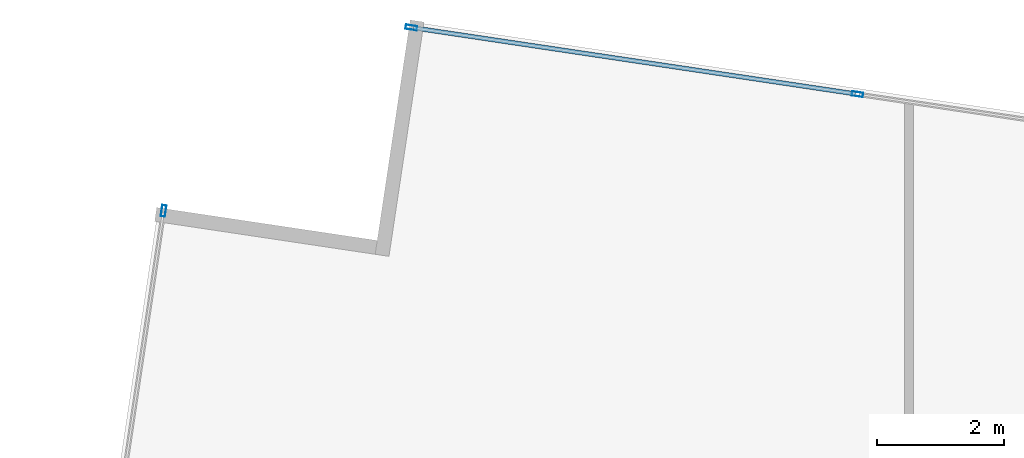
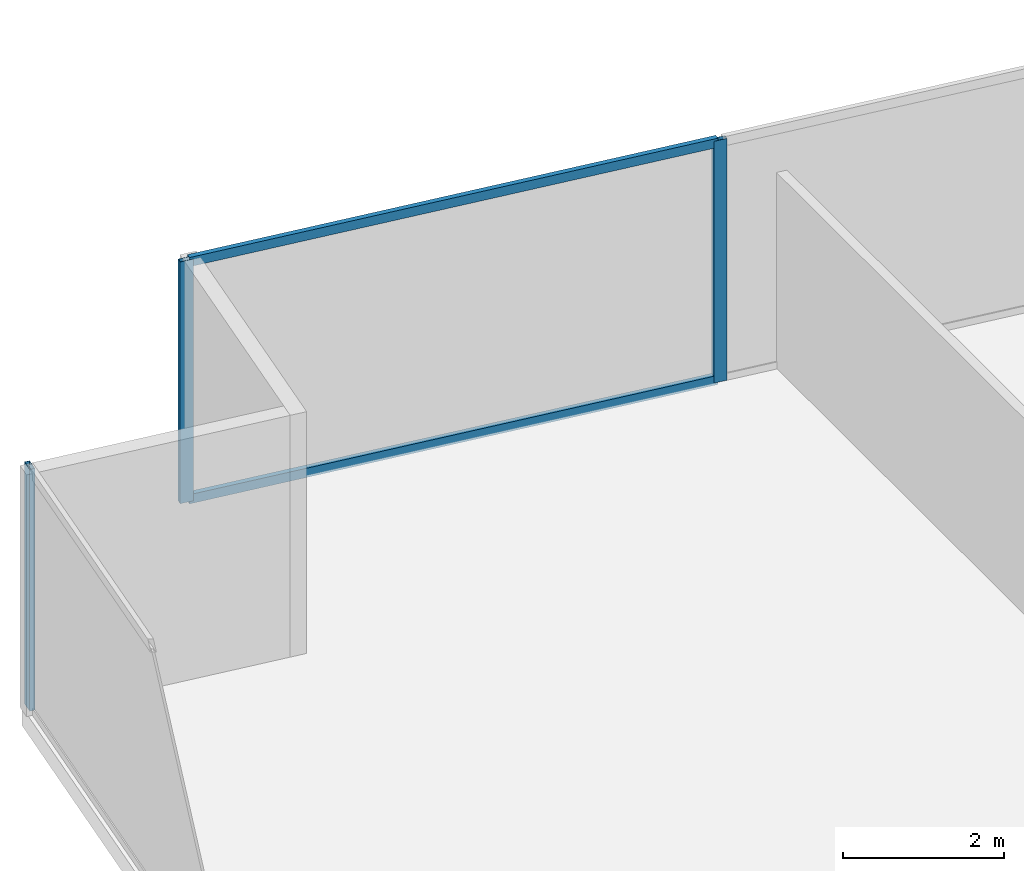
# One storey, part 18 of 29: 5 members, 2 elements without a shape of their own.
"""IFC4 building model written with IfcOpenShell, lengths in metres."""

from ifc_helpers import new_model, si_unit, direction, frame, origin, origin_2d, place, context, subcontext, project, spatial, hollow_rectangle, extrude, source, transform, mapped, material, material_profile, profile_set, type_object, type_shapes, element, aggregate, save


model = new_model("IFC4")

# Units and contexts
model_context = context("Model", 3, precision=1e-05, world=origin(), true_north=direction((0.0, 1.0)))
body_context = subcontext(model_context, "Body", "Model", "MODEL_VIEW")
ifc_project = project(units=[si_unit("LENGTHUNIT", "METRE"), si_unit("AREAUNIT", "SQUARE_METRE"), si_unit("VOLUMEUNIT", "CUBIC_METRE"), si_unit("PLANEANGLEUNIT", "RADIAN"), si_unit("MASSUNIT", "GRAM", prefix="KILO")], contexts=[model_context])

# Site, building, storey
site_placement = place(None, origin())
site = spatial("IfcSite", under=ifc_project, at=site_placement, CompositionType="ELEMENT")
building_placement = place(site_placement, origin())
building = spatial("IfcBuilding", under=site, at=building_placement, Name="Krantzveldt Concourse Tower", CompositionType="ELEMENT")
storey_placement = place(building_placement, frame((0.0, 0.0, 68.449951171875)))
storey = spatial("IfcBuildingStorey", under=building, at=storey_placement, Name="L16", CompositionType="ELEMENT", Elevation=68.449951171875)

# Curtain wall, members
ifc_material = material(Name="Anodised aluminium 6063-T6", Category="aluminium")
curtain_wall_type = type_object("IfcCurtainWallType", Name="CW2", PredefinedType="USERDEFINED", material=ifc_material)
curtain_wall_1_placement = place(storey_placement, origin())
curtain_wall_1 = element("IfcCurtainWall", 1, at=curtain_wall_1_placement, inside=storey, type_object=curtain_wall_type, Name="CW-L16-F10", ObjectType="UNITISED CURTAIN WALL", PredefinedType="USERDEFINED")
ifc_material_profile_1 = material_profile(ifc_material, hollow_rectangle(XDim=0.070068359375, YDim=0.139892578125, WallThickness=0.0048828125, at=origin_2d()), Name="Anodised aluminium 6063-T6", Category="aluminium")
ifc_profile_set_1 = profile_set([ifc_material_profile_1], Name="Anodised aluminium 6063-T6 - ALU-TRAN 140x70x5")
member_type_1 = type_object("IfcMemberType", Name="CW-TRN-150", PredefinedType="USERDEFINED", material=ifc_profile_set_1)
shared_shape_1 = source(origin(), body_context, "Body", "SweptSolid", [
    extrude(hollow_rectangle(XDim=0.070068359375, YDim=0.139892578125, WallThickness=0.0048828125, at=origin_2d()), origin(), (0.0, 0.0, 1.0), 7.061767578125),
])
type_shapes(member_type_1, [shared_shape_1])
member_1_placement = place(storey_placement, frame((25.471435546875, 53.460205078125, 0.03515625), z_axis=(-0.989017605897, 0.147797751082, 0.0), x_axis=(-0.147797751082, -0.989017605897, 0.0)))
member_1 = element("IfcMember", 2, at=member_1_placement, type_object=member_type_1, Name="CW-Z12 transom 6.1", ObjectType="TRANSOM", PredefinedType="USERDEFINED", context=body_context, shape_type="MappedRepresentation", body=[
    mapped(shared_shape_1, transform((0.0, 0.0, 0.0), x_axis=(1.0, 0.0, 0.0), y_axis=(0.0, 1.0, 0.0), z_axis=(0.0, 0.0, 1.0), scale=1.0)),
])
member_2_placement = place(storey_placement, frame((25.471435546875, 53.460205078125, 3.635009765625), z_axis=(-0.989017605897, 0.147797751082, 0.0), x_axis=(-0.147797751082, -0.989017605897, 0.0)))
member_2 = element("IfcMember", 3, at=member_2_placement, type_object=member_type_1, Name="CW-Z12 transom 6.2", ObjectType="TRANSOM", PredefinedType="USERDEFINED", context=body_context, shape_type="MappedRepresentation", body=[
    mapped(shared_shape_1, transform((0.0, 0.0, 0.0), x_axis=(1.0, 0.0, 0.0), y_axis=(0.0, 1.0, 0.0), z_axis=(0.0, 0.0, 1.0), scale=1.0)),
])

# Curtain wall, member
curtain_wall_2_placement = place(storey_placement, origin())
curtain_wall_2 = element("IfcCurtainWall", 4, at=curtain_wall_2_placement, inside=storey, type_object=curtain_wall_type, Name="CW-L16-F01", ObjectType="UNITISED CURTAIN WALL", PredefinedType="USERDEFINED")
ifc_material_profile_2 = material_profile(ifc_material, hollow_rectangle(XDim=0.070068359375, YDim=0.179931640625, WallThickness=0.0048828125, at=origin_2d()), Name="Anodised aluminium 6063-T6", Category="aluminium")
ifc_profile_set_2 = profile_set([ifc_material_profile_2], Name="Anodised aluminium 6063-T6 - ALU-MULL 180x70x5")
member_type_2 = type_object("IfcMemberType", Name="CW-MUL-180", PredefinedType="MULLION", material=ifc_profile_set_2)
shared_shape_2 = source(origin(), body_context, "Body", "SweptSolid", [
    extrude(hollow_rectangle(XDim=0.070068359375, YDim=0.179931640625, WallThickness=0.0048828125, at=origin_2d()), origin(), (0.0, 0.0, 1.0), 3.670166015625),
])
type_shapes(member_type_2, [shared_shape_2])
member_3_placement = place(storey_placement, frame((14.536376953125, 51.611083984375, 0.0), z_axis=(0.0, 0.0, 1.0), x_axis=(0.989015849271, -0.147809505412, 0.0)))
member_3 = element("IfcMember", 5, at=member_3_placement, type_object=member_type_2, Name="CW-Z12 mullion 1", PredefinedType="MULLION", context=body_context, shape_type="MappedRepresentation", body=[
    mapped(shared_shape_2, transform((0.0, 0.0, 0.0), x_axis=(1.0, 0.0, 0.0), y_axis=(0.0, 1.0, 0.0), z_axis=(0.0, 0.0, 1.0), scale=1.0)),
])
aggregate(curtain_wall_2, [member_3])

# Member
member_4_placement = place(storey_placement, frame((25.506103515625, 53.455078125, 0.0), z_axis=(0.0, 0.0, 1.0), x_axis=(-0.147809505412, -0.989015849271, 0.0)))
member_4 = element("IfcMember", 6, at=member_4_placement, type_object=member_type_2, Name="CW-Z12 mullion 6", PredefinedType="MULLION", context=body_context, shape_type="MappedRepresentation", body=[
    mapped(shared_shape_2, transform((0.0, 0.0, 0.0), x_axis=(1.0, 0.0, 0.0), y_axis=(0.0, 1.0, 0.0), z_axis=(0.0, 0.0, 1.0), scale=1.0)),
])

member_5_placement = place(storey_placement, frame((18.45263671875, 54.509033203125, 0.0), z_axis=(0.0, 0.0, 1.0), x_axis=(-0.147809505412, -0.989015849271, 0.0)))
member_5 = element("IfcMember", 7, at=member_5_placement, type_object=member_type_2, Name="CW-Z12 mullion 7", PredefinedType="MULLION", context=body_context, shape_type="MappedRepresentation", body=[
    mapped(shared_shape_2, transform((0.0, 0.0, 0.0), x_axis=(1.0, 0.0, 0.0), y_axis=(0.0, 1.0, 0.0), z_axis=(0.0, 0.0, 1.0), scale=1.0)),
])

aggregate(curtain_wall_1, [member_4, member_5, member_1, member_2])

save(model, "model.ifc")
